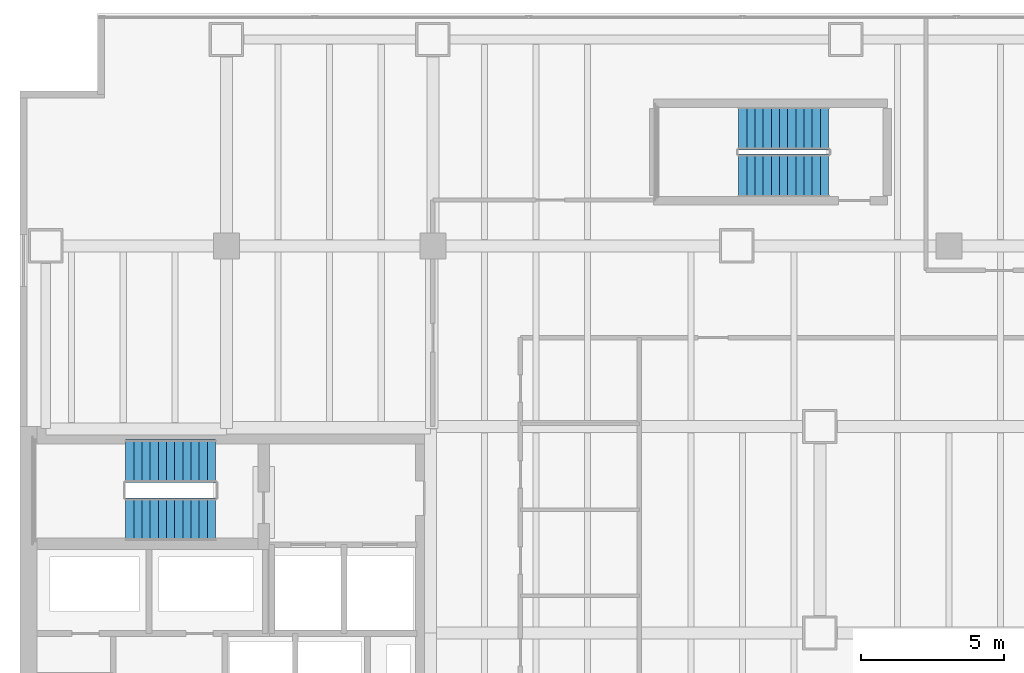
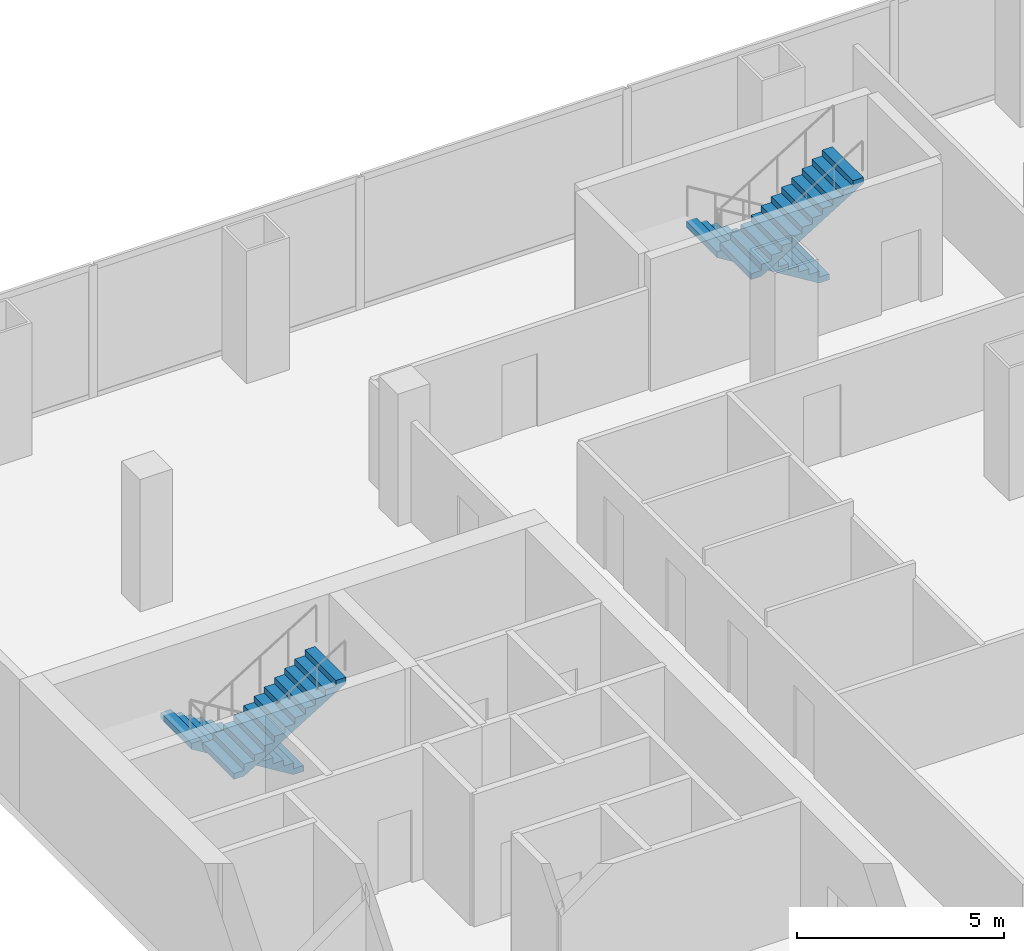
# One storey, part 27 of 29: 4 stair flights, 2 elements without a shape of their own.
"""IFC4 building model written with IfcOpenShell, lengths in metres."""

from ifc_helpers import new_model, si_unit, direction, frame, origin, place, context, subcontext, project, spatial, polyline, outline, extrude, material, type_object, element, aggregate, save


model = new_model("IFC4")

# Units and contexts
model_context = context("Model", 3, precision=1e-05, world=origin(), true_north=direction((0.0, 1.0)))
body_context = subcontext(model_context, "Body", "Model", "MODEL_VIEW")
ifc_project = project(units=[si_unit("LENGTHUNIT", "METRE"), si_unit("AREAUNIT", "SQUARE_METRE"), si_unit("VOLUMEUNIT", "CUBIC_METRE"), si_unit("PLANEANGLEUNIT", "RADIAN"), si_unit("MASSUNIT", "GRAM", prefix="KILO")], contexts=[model_context])

# Site, building, storey
site_placement = place(None, origin())
site = spatial("IfcSite", under=ifc_project, at=site_placement, CompositionType="ELEMENT")
building_placement = place(site_placement, origin())
building = spatial("IfcBuilding", under=site, at=building_placement, Name="Cobrela Telecom Tower", CompositionType="ELEMENT")
storey_placement = place(building_placement, frame((0.0, 0.0, 13.64990234375)))
storey = spatial("IfcBuildingStorey", under=building, at=storey_placement, Name="L03", CompositionType="ELEMENT", Elevation=13.64990234375)

# Stair, stair flights
ifc_material = material(Name="Concrete C40/50", Category="concrete")
stair_type = type_object("IfcStairType", Name="STAIR-CORE", PredefinedType="HALF_TURN_STAIR", material=ifc_material)
stair_1_placement = place(storey_placement, origin())
stair_1 = element("IfcStair", 1, at=stair_1_placement, inside=storey, type_object=stair_type, Name="L03 Smokeproof Exit Stair ST1", PredefinedType="HALF_TURN_STAIR")
stair_flight_type = type_object("IfcStairFlightType", Name="FLIGHT-CORE", PredefinedType="STRAIGHT", material=ifc_material)
stair_flight_1_placement = place(storey_placement, frame((6.820068359375, 34.800048828125, 0.0), z_axis=(0.0, 0.0, 1.0), x_axis=(-1.0, 0.0, 0.0)))
stair_flight_1 = element("IfcStairFlight", 2, at=stair_flight_1_placement, type_object=stair_flight_type, Name="ST1 flight 1", NumberOfRisers=12, NumberOfTreads=11, PredefinedType="STRAIGHT", RiserHeight=0.175, TreadLength=0.285, context=body_context, shape_type="SweptSolid", body=[
    extrude(outline(polyline([(0.0, 0.0), (0.0, 0.175048828125), (0.284912109375, 0.175048828125), (0.284912109375, 0.35009765625), (0.570068359375, 0.35009765625), (0.570068359375, 0.52490234375), (0.85498046875, 0.52490234375), (0.85498046875, 0.699951171875), (1.139892578125, 0.699951171875), (1.139892578125, 0.875), (1.425048828125, 0.875), (1.425048828125, 1.050048828125), (1.7099609375, 1.050048828125), (1.7099609375, 1.22509765625), (1.9951171875, 1.22509765625), (1.9951171875, 1.39990234375), (2.280029296875, 1.39990234375), (2.280029296875, 1.574951171875), (2.56494140625, 1.574951171875), (2.56494140625, 1.75), (2.85009765625, 1.75), (2.85009765625, 1.925048828125), (3.135009765625, 1.925048828125), (3.135009765625, 2.10009765625), (3.135009765625, 1.7490234375), (0.286376953125, 0.0), (0.0, 0.0)])), frame((0.0, 0.75, 0.0), z_axis=(0.0, -1.0, 0.0), x_axis=(1.0, 0.0, 0.0)), (0.0, 0.0, 1.0), 1.5),
])
stair_flight_2_placement = place(storey_placement, frame((3.68505859375, 32.75, 2.10009765625), z_axis=(0.0, 0.0, 1.0), x_axis=(1.0, 0.0, 0.0)))
stair_flight_2 = element("IfcStairFlight", 3, at=stair_flight_2_placement, type_object=stair_flight_type, Name="ST1 flight 2", NumberOfRisers=12, NumberOfTreads=11, PredefinedType="STRAIGHT", RiserHeight=0.175, TreadLength=0.285, context=body_context, shape_type="SweptSolid", body=[
    extrude(outline(polyline([(0.0, 0.0), (0.0, 0.175048828125), (0.284912109375, 0.175048828125), (0.284912109375, 0.35009765625), (0.570068359375, 0.35009765625), (0.570068359375, 0.52490234375), (0.85498046875, 0.52490234375), (0.85498046875, 0.699951171875), (1.139892578125, 0.699951171875), (1.139892578125, 0.875), (1.425048828125, 0.875), (1.425048828125, 1.050048828125), (1.7099609375, 1.050048828125), (1.7099609375, 1.22509765625), (1.9951171875, 1.22509765625), (1.9951171875, 1.39990234375), (2.280029296875, 1.39990234375), (2.280029296875, 1.574951171875), (2.56494140625, 1.574951171875), (2.56494140625, 1.75), (2.85009765625, 1.75), (2.85009765625, 1.925048828125), (3.135009765625, 1.925048828125), (3.135009765625, 2.10009765625), (3.135009765625, 1.7490234375), (0.286376953125, 0.0), (0.0, 0.0)])), frame((0.0, 0.75, 0.0), z_axis=(0.0, -1.0, 0.0), x_axis=(1.0, 0.0, 0.0)), (0.0, 0.0, 1.0), 1.5),
])
aggregate(stair_1, [stair_flight_1, stair_flight_2])

stair_2_placement = place(storey_placement, origin())
stair_2 = element("IfcStair", 4, at=stair_2_placement, inside=storey, type_object=stair_type, Name="L03 Smokeproof Exit Stair ST3", PredefinedType="HALF_TURN_STAIR")
stair_flight_3_placement = place(storey_placement, frame((28.199951171875, 46.39990234375, 0.0), z_axis=(0.0, 0.0, 1.0), x_axis=(-1.0, 0.0, 0.0)))
stair_flight_3 = element("IfcStairFlight", 5, at=stair_flight_3_placement, type_object=stair_flight_type, Name="ST3 flight 1", NumberOfRisers=12, NumberOfTreads=11, PredefinedType="STRAIGHT", RiserHeight=0.175, TreadLength=0.285, context=body_context, shape_type="SweptSolid", body=[
    extrude(outline(polyline([(0.0, 0.0), (0.0, 0.175048828125), (0.284912109375, 0.175048828125), (0.284912109375, 0.35009765625), (0.570068359375, 0.35009765625), (0.570068359375, 0.52490234375), (0.85498046875, 0.52490234375), (0.85498046875, 0.699951171875), (1.139892578125, 0.699951171875), (1.139892578125, 0.875), (1.425048828125, 0.875), (1.425048828125, 1.050048828125), (1.7099609375, 1.050048828125), (1.7099609375, 1.22509765625), (1.9951171875, 1.22509765625), (1.9951171875, 1.39990234375), (2.280029296875, 1.39990234375), (2.280029296875, 1.574951171875), (2.56494140625, 1.574951171875), (2.56494140625, 1.75), (2.85009765625, 1.75), (2.85009765625, 1.925048828125), (3.135009765625, 1.925048828125), (3.135009765625, 2.10009765625), (3.135009765625, 1.7490234375), (0.286376953125, 0.0), (0.0, 0.0)])), frame((0.0, 0.75, 0.0), z_axis=(0.0, -1.0, 0.0), x_axis=(1.0, 0.0, 0.0)), (0.0, 0.0, 1.0), 1.5),
])
stair_flight_4_placement = place(storey_placement, frame((25.06494140625, 44.75, 2.10009765625), z_axis=(0.0, 0.0, 1.0), x_axis=(1.0, 0.0, 0.0)))
stair_flight_4 = element("IfcStairFlight", 6, at=stair_flight_4_placement, type_object=stair_flight_type, Name="ST3 flight 2", NumberOfRisers=12, NumberOfTreads=11, PredefinedType="STRAIGHT", RiserHeight=0.175, TreadLength=0.285, context=body_context, shape_type="SweptSolid", body=[
    extrude(outline(polyline([(0.0, 0.0), (0.0, 0.175048828125), (0.284912109375, 0.175048828125), (0.284912109375, 0.35009765625), (0.570068359375, 0.35009765625), (0.570068359375, 0.52490234375), (0.85498046875, 0.52490234375), (0.85498046875, 0.699951171875), (1.139892578125, 0.699951171875), (1.139892578125, 0.875), (1.425048828125, 0.875), (1.425048828125, 1.050048828125), (1.7099609375, 1.050048828125), (1.7099609375, 1.22509765625), (1.9951171875, 1.22509765625), (1.9951171875, 1.39990234375), (2.280029296875, 1.39990234375), (2.280029296875, 1.574951171875), (2.56494140625, 1.574951171875), (2.56494140625, 1.75), (2.85009765625, 1.75), (2.85009765625, 1.925048828125), (3.135009765625, 1.925048828125), (3.135009765625, 2.10009765625), (3.135009765625, 1.7490234375), (0.286376953125, 0.0), (0.0, 0.0)])), frame((0.0, 0.75, 0.0), z_axis=(0.0, -1.0, 0.0), x_axis=(1.0, 0.0, 0.0)), (0.0, 0.0, 1.0), 1.5),
])
aggregate(stair_2, [stair_flight_3, stair_flight_4])

save(model, "model.ifc")
